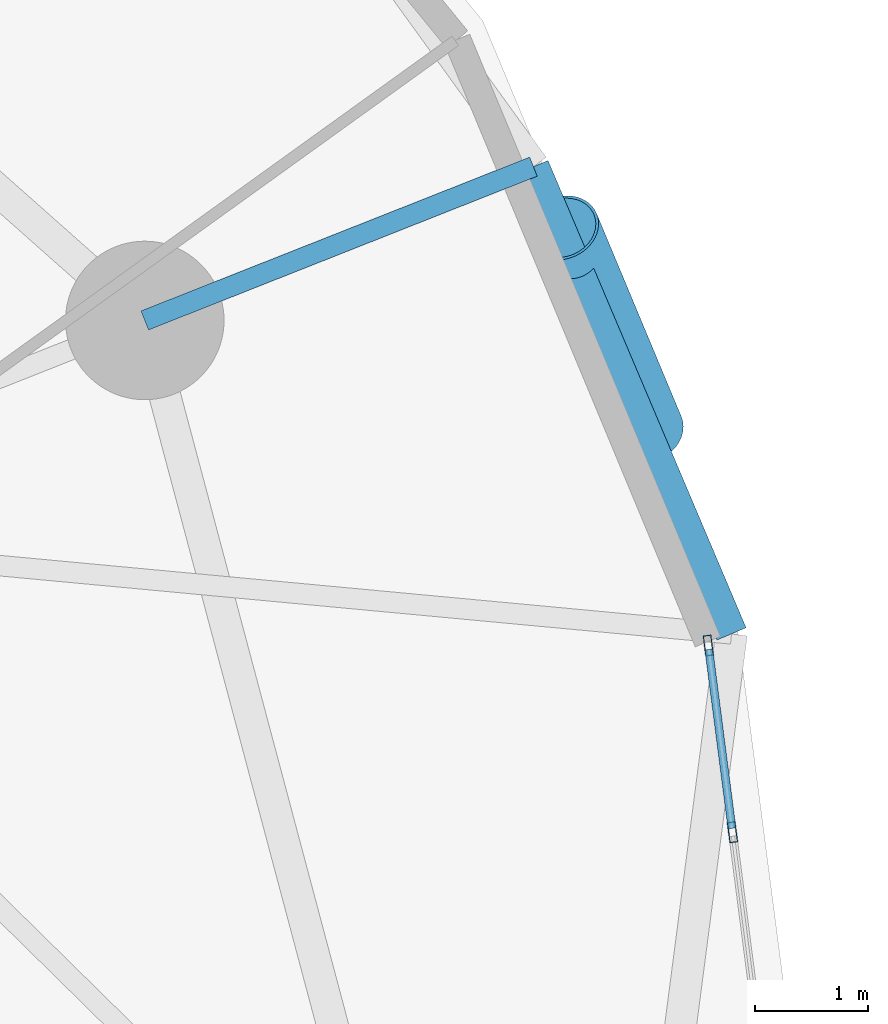
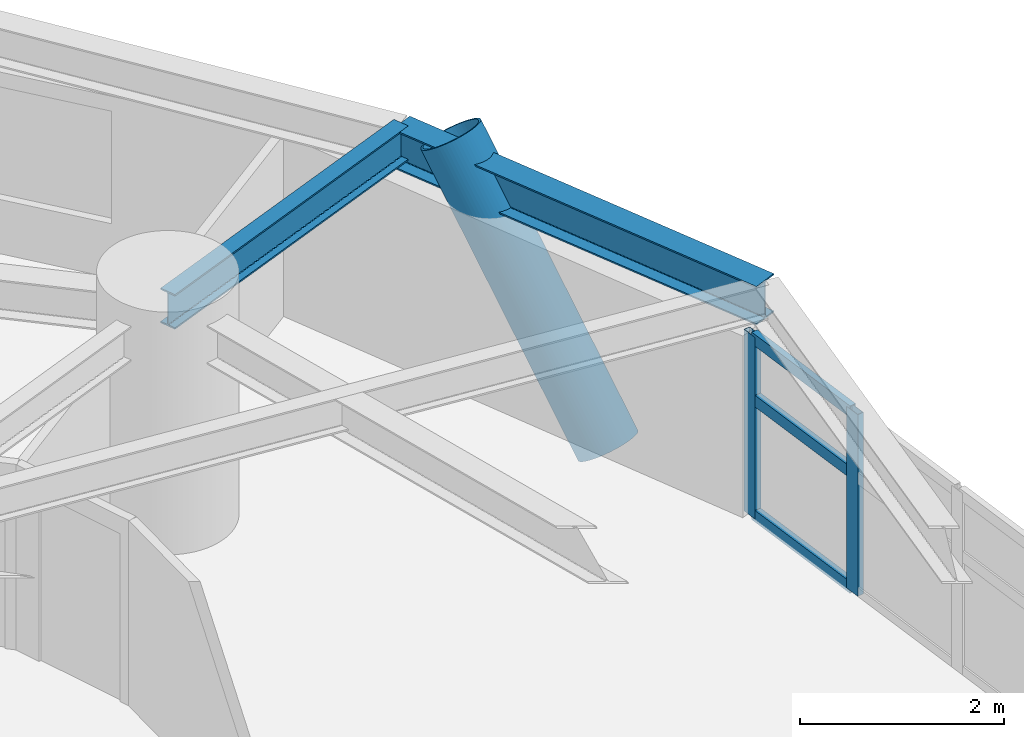
# One storey, part 4 of 17: 6 members, 2 beams, 1 element without a shape of its own.
"""IFC4 building model written with IfcOpenShell, lengths in metres."""

from ifc_helpers import new_model, si_unit, direction, frame, origin, origin_2d, place, context, subcontext, project, spatial, hollow_rectangle, hollow_circle, i_section, extrude, material, layer, layer_set, material_profile, profile_set, type_object, element, aggregate, save


model = new_model("IFC4")

# Units and contexts
model_context = context("Model", 3, precision=1e-05, world=origin(), true_north=direction((0.0, 1.0)))
body_context = subcontext(model_context, "Body", "Model", "MODEL_VIEW")
ifc_project = project(units=[si_unit("LENGTHUNIT", "METRE"), si_unit("AREAUNIT", "SQUARE_METRE"), si_unit("VOLUMEUNIT", "CUBIC_METRE"), si_unit("PLANEANGLEUNIT", "RADIAN"), si_unit("MASSUNIT", "GRAM", prefix="KILO")], contexts=[model_context])

# Site, building, storey
site_placement = place(None, origin())
site = spatial("IfcSite", under=ifc_project, at=site_placement, CompositionType="ELEMENT")
building_placement = place(site_placement, origin())
building = spatial("IfcBuilding", under=site, at=building_placement, Name="Cununo Teusaquillo Station Towers", CompositionType="ELEMENT")
storey_placement = place(building_placement, frame((0.0, 0.0, 96.340087890625)))
storey = spatial("IfcBuildingStorey", under=building, at=storey_placement, Name="L30", CompositionType="ELEMENT", Elevation=96.340087890625)

# Beams
ifc_material_1 = material(Name="Steel ASTM A572 Grade 50", Category="steel")
ifc_material_profile_1 = material_profile(ifc_material_1, i_section(OverallWidth=0.180908203125, OverallDepth=0.4169921875, WebThickness=0.010986328125, FlangeThickness=0.018310546875, FilletRadius=0.012939453125, at=origin_2d()), Name="W16X57")
ifc_profile_set_1 = profile_set([ifc_material_profile_1], Name="Steel ASTM A572 Grade 50")
beam_type_1 = type_object("IfcBeamType", Name="BM-RAD-G2", PredefinedType="BEAM", material=ifc_profile_set_1)
beam_1_placement = place(storey_placement, frame((26.347412109375, 33.228515625, 2.46142578125), z_axis=(0.929861788731, 0.367909029323, 0.0), x_axis=(-0.367909029323, 0.929861788731, 0.0)))
element("IfcBeam", 1, at=beam_1_placement, inside=storey, type_object=beam_type_1, Name="L30 Tower A Perimeter Overhang Girder 02B", PredefinedType="BEAM", context=body_context, shape_type="SweptSolid", body=[
    extrude(i_section(OverallWidth=0.180908203125, OverallDepth=0.4169921875, WebThickness=0.010986328125, FlangeThickness=0.018310546875, FilletRadius=0.012939453125, at=origin_2d()), origin(), (0.0, 0.0, 1.0), 3.690185546875),
])
ifc_material_2 = material(Name="Steel ASTM A572 Grade 50", Category="steel")
ifc_material_profile_2 = material_profile(ifc_material_2, i_section(OverallWidth=0.280029296875, OverallDepth=0.462890625, WebThickness=0.0107421875, FlangeThickness=0.017333984375, FilletRadius=0.013916015625, at=origin_2d()), Name="W18X76")
ifc_profile_set_2 = profile_set([ifc_material_profile_2], Name="Steel ASTM A572 Grade 50")
beam_type_2 = type_object("IfcBeamType", Name="BM-RING-Z2", PredefinedType="SPANDREL", material=ifc_profile_set_2)
beam_2_placement = place(storey_placement, frame((31.527587890625, 30.4609375, 2.4384765625), z_axis=(-0.390299356049, 0.920688010494, 0.0), x_axis=(-0.920688010494, -0.390299356049, 0.0)))
element("IfcBeam", 2, at=beam_2_placement, inside=storey, type_object=beam_type_2, Name="L30 Tower A Spandrel Ring Beam 02", PredefinedType="SPANDREL", context=body_context, shape_type="SweptSolid", body=[
    extrude(i_section(OverallWidth=0.280029296875, OverallDepth=0.462890625, WebThickness=0.0107421875, FlangeThickness=0.017333984375, FilletRadius=0.013916015625, at=origin_2d()), origin(), (0.0, 0.0, 1.0), 4.480712890625),
])

# Curtain wall, members
ifc_material_3 = material(Name="Ceramic-fritted dark low-E double glazing", Category="glass")
ifc_layer = layer(ifc_material_3, 0.179931640625)
ifc_layer_set = layer_set([ifc_layer], Name="Ceramic-fritted dark low-E double glazing")
curtain_wall_type = type_object("IfcCurtainWallType", Name="CW-SYS-04", PredefinedType="USERDEFINED", material=ifc_layer_set)
curtain_wall_placement = place(storey_placement, origin())
curtain_wall = element("IfcCurtainWall", 3, at=curtain_wall_placement, inside=storey, type_object=curtain_wall_type, Name="L30 Tower A Facade Curtain Wall C00", ObjectType="FRITTED GLAZING", PredefinedType="USERDEFINED")
ifc_material_4 = material(Name="Anodised dark bronze aluminium EN AW-6063-T6", Category="aluminium")
ifc_material_profile_3 = material_profile(ifc_material_4, hollow_rectangle(XDim=0.070068359375, YDim=0.179931640625, WallThickness=0.00390625, at=origin_2d()), Name="CW-MULL-70x180")
ifc_profile_set_3 = profile_set([ifc_material_profile_3], Name="Anodised dark bronze aluminium EN AW-6063-T6")
member_type_1 = type_object("IfcMemberType", Name="CWM-180", PredefinedType="MULLION", material=ifc_profile_set_3)
member_1_placement = place(storey_placement, frame((31.322998046875, 30.3583984375, 0.0), z_axis=(0.0, 0.0, 1.0), x_axis=(0.991730764367, 0.128335852387, 0.0)))
member_1 = element("IfcMember", 4, at=member_1_placement, type_object=member_type_1, Name="CW-04 mullion 1", PredefinedType="MULLION", context=body_context, shape_type="SweptSolid", body=[
    extrude(hollow_rectangle(XDim=0.070068359375, YDim=0.179931640625, WallThickness=0.00390625, at=origin_2d()), origin(), (0.0, 0.0, 1.0), 2.178955078125),
])
member_2_placement = place(storey_placement, frame((31.5361328125, 28.709716796875, 0.0), z_axis=(0.0, 0.0, 1.0), x_axis=(0.991730764367, 0.128335852387, 0.0)))
member_2 = element("IfcMember", 5, at=member_2_placement, type_object=member_type_1, Name="CW-04 mullion 2", PredefinedType="MULLION", context=body_context, shape_type="SweptSolid", body=[
    extrude(hollow_rectangle(XDim=0.070068359375, YDim=0.179931640625, WallThickness=0.00390625, at=origin_2d()), origin(), (0.0, 0.0, 1.0), 2.178955078125),
])
ifc_material_5 = material(Name="Anodised dark bronze aluminium EN AW-6063-T6", Category="aluminium")
ifc_material_profile_4 = material_profile(ifc_material_5, hollow_rectangle(XDim=0.070068359375, YDim=0.139892578125, WallThickness=0.00390625, at=origin_2d()), Name="CW-TRAN-70x140")
ifc_profile_set_4 = profile_set([ifc_material_profile_4], Name="Anodised dark bronze aluminium EN AW-6063-T6")
member_type_2 = type_object("IfcMemberType", Name="CWT-140", PredefinedType="USERDEFINED", material=ifc_profile_set_4)
member_3_placement = place(storey_placement, frame((31.327392578125, 30.323486328125, 0.034912109375), z_axis=(0.128336210724, -0.991730717996, 0.0), x_axis=(0.991730717996, 0.128336210724, 0.0)))
member_3 = element("IfcMember", 6, at=member_3_placement, type_object=member_type_2, Name="CW-04 transom 1.1", ObjectType="TRANSOM", PredefinedType="USERDEFINED", context=body_context, shape_type="SweptSolid", body=[
    extrude(hollow_rectangle(XDim=0.070068359375, YDim=0.139892578125, WallThickness=0.00390625, at=origin_2d()), origin(), (0.0, 0.0, 1.0), 1.59228515625),
])
member_4_placement = place(storey_placement, frame((31.327392578125, 30.323486328125, 1.416015625), z_axis=(0.128336210724, -0.991730717996, 0.0), x_axis=(0.991730717996, 0.128336210724, 0.0)))
member_4 = element("IfcMember", 7, at=member_4_placement, type_object=member_type_2, Name="CW-04 transom 1.2", ObjectType="TRANSOM", PredefinedType="USERDEFINED", context=body_context, shape_type="SweptSolid", body=[
    extrude(hollow_rectangle(XDim=0.070068359375, YDim=0.139892578125, WallThickness=0.00390625, at=origin_2d()), origin(), (0.0, 0.0, 1.0), 1.59228515625),
])
member_5_placement = place(storey_placement, frame((31.327392578125, 30.323486328125, 2.143798828125), z_axis=(0.128336210724, -0.991730717996, 0.0), x_axis=(0.991730717996, 0.128336210724, 0.0)))
member_5 = element("IfcMember", 8, at=member_5_placement, type_object=member_type_2, Name="CW-04 transom 1.3", ObjectType="TRANSOM", PredefinedType="USERDEFINED", context=body_context, shape_type="SweptSolid", body=[
    extrude(hollow_rectangle(XDim=0.070068359375, YDim=0.139892578125, WallThickness=0.00390625, at=origin_2d()), origin(), (0.0, 0.0, 1.0), 1.59228515625),
])
aggregate(curtain_wall, [member_1, member_2, member_3, member_4, member_5])

# Member
ifc_material_6 = material(Name="Steel EN 10025-2 S355J2", Category="steel")
ifc_material_profile_5 = material_profile(ifc_material_6, hollow_circle(Radius=0.330078125, WallThickness=0.02490234375, at=origin_2d()), Name="CHS 660x25")
ifc_profile_set_5 = profile_set([ifc_material_profile_5], Name="Steel EN 10025-2 S355J2")
member_type_3 = type_object("IfcMemberType", Name="MBR-DIAG-Z2", PredefinedType="BRACE", material=ifc_profile_set_5)
member_6_placement = place(storey_placement, frame((30.779541015625, 32.25341796875, -0.14013671875), z_axis=(-0.213801258435, 0.512313589893, 0.831759464931), x_axis=(-0.922861086318, -0.385132983993, 0.0)))
element("IfcMember", 9, at=member_6_placement, inside=storey, type_object=member_type_3, Name="L30 Tower A Folded-Zigzag Diagrid Tube C01", PredefinedType="BRACE", context=body_context, shape_type="SweptSolid", body=[
    extrude(hollow_circle(Radius=0.330078125, WallThickness=0.02490234375, at=origin_2d()), origin(), (0.0, 0.0, 1.0), 3.498779296875),
])

save(model, "model.ifc")
